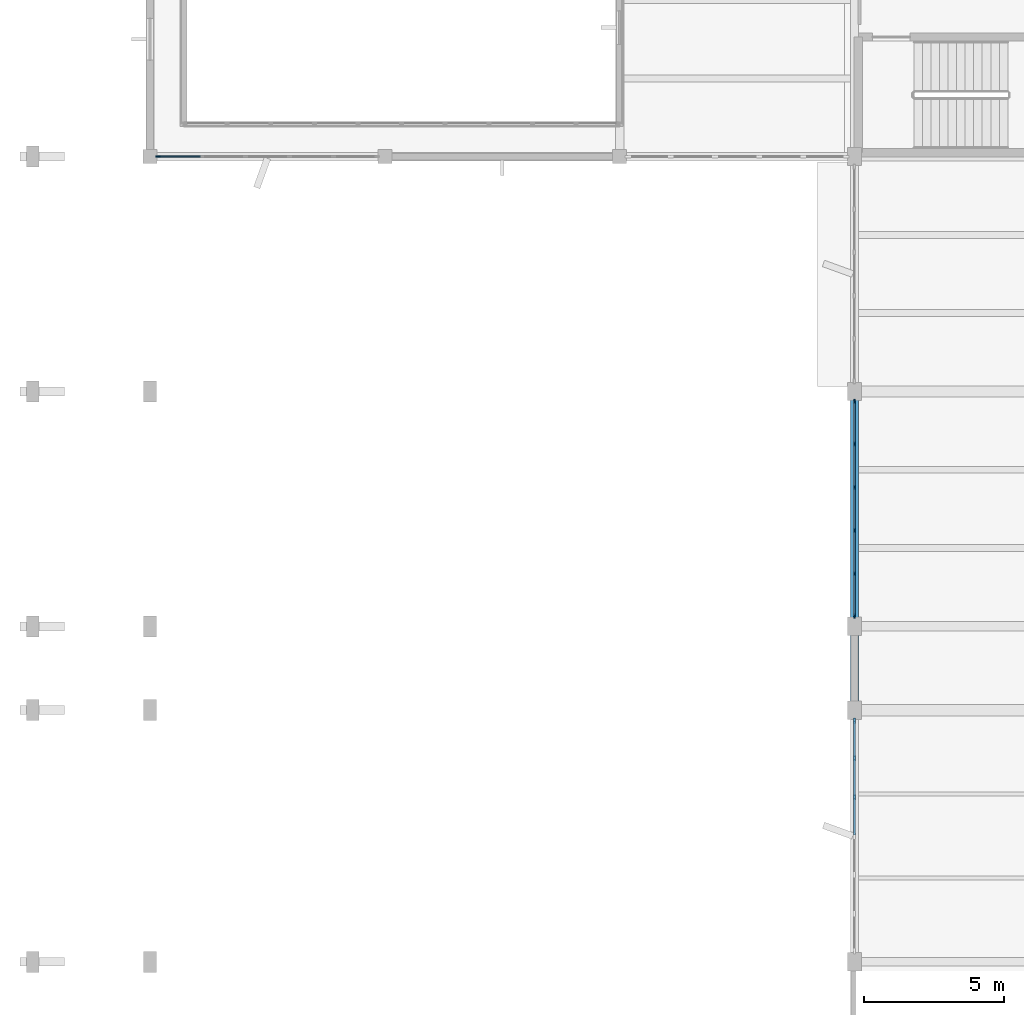
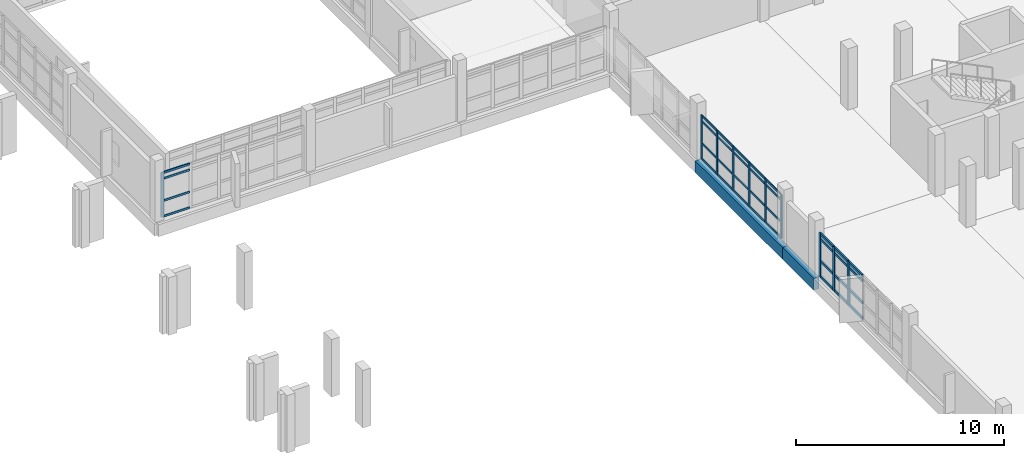
# One storey, part 27 of 104: 46 members, 2 beams, 3 elements without a shape of their own.
"""IFC4 building model written with IfcOpenShell, lengths in metres."""

from ifc_helpers import new_model, si_unit, direction, frame, origin, origin_2d, place, context, subcontext, project, spatial, rectangle, extrude, material, material_profile, profile_set, type_object, element, aggregate, save


model = new_model("IFC4")

# Units and contexts
model_context = context("Model", 3, precision=1e-05, world=origin(), true_north=direction((0.0, 1.0)))
body_context = subcontext(model_context, "Body", "Model", "MODEL_VIEW")
ifc_project = project(units=[si_unit("LENGTHUNIT", "METRE"), si_unit("AREAUNIT", "SQUARE_METRE"), si_unit("VOLUMEUNIT", "CUBIC_METRE"), si_unit("PLANEANGLEUNIT", "RADIAN"), si_unit("MASSUNIT", "GRAM", prefix="KILO")], contexts=[model_context])

# Site, building, storey
site_placement = place(None, origin())
site = spatial("IfcSite", under=ifc_project, at=site_placement, CompositionType="ELEMENT")
building_placement = place(site_placement, origin())
building = spatial("IfcBuilding", under=site, at=building_placement, Name="Vanh Quang Courtyard School", CompositionType="ELEMENT")
storey_placement = place(building_placement, frame((0.0, 0.0, 4.199951171875)))
storey = spatial("IfcBuildingStorey", under=building, at=storey_placement, Name="L01", CompositionType="ELEMENT", Elevation=4.199951171875)

# Beams
ifc_material_1 = material(Name="Concrete C35/45", Category="concrete")
ifc_material_profile_1 = material_profile(ifc_material_1, rectangle(XDim=0.300048828125, YDim=0.699951171875, at=origin_2d()), Name="RC-SP 300x700")
ifc_profile_set_1 = profile_set([ifc_material_profile_1], Name="Concrete C35/45")
beam_type = type_object("IfcBeamType", Name="BM-SP-300x700", PredefinedType="SPANDREL", material=ifc_profile_set_1)
beam_1_placement = place(storey_placement, frame((29.39990234375, 68.39990234375, -0.6298828125), z_axis=(0.0, 1.0, 0.0), x_axis=(-1.0, 0.0, 0.0)))
element("IfcBeam", 1, at=beam_1_placement, inside=storey, type_object=beam_type, Name="Beam BS-01 (L01)", PredefinedType="SPANDREL", context=body_context, shape_type="SweptSolid", body=[
    extrude(rectangle(XDim=0.300048828125, YDim=0.699951171875, at=origin_2d()), origin(), (0.0, 0.0, 1.0), 3.0),
])
beam_2_placement = place(storey_placement, frame((29.39990234375, 71.39990234375, -0.6298828125), z_axis=(0.0, 1.0, 0.0), x_axis=(-1.0, 0.0, 0.0)))
element("IfcBeam", 2, at=beam_2_placement, inside=storey, type_object=beam_type, Name="Beam BS-01 (L01)", PredefinedType="SPANDREL", context=body_context, shape_type="SweptSolid", body=[
    extrude(rectangle(XDim=0.300048828125, YDim=0.699951171875, at=origin_2d()), origin(), (0.0, 0.0, 1.0), 8.400146484375),
])

# Curtain wall, members
ifc_material_2 = material(Name="Thermally broken aluminium unitised curtain wall", Category="aluminium")
curtain_wall_type_1 = type_object("IfcCurtainWallType", Name="CW-SYS-21", PredefinedType="NOTDEFINED", material=ifc_material_2)
curtain_wall_1_placement = place(storey_placement, origin())
curtain_wall_1 = element("IfcCurtainWall", 3, at=curtain_wall_1_placement, inside=storey, type_object=curtain_wall_type_1, Name="Curtain Wall CW-21 (L01)", PredefinedType="NOTDEFINED")
ifc_material_3 = material(Name="Anodised aluminium 6063-T6", Category="aluminium")
ifc_material_profile_2 = material_profile(ifc_material_3, rectangle(XDim=0.06005859375, YDim=0.159912109375, at=origin_2d()), Name="ALU-MUL 60x160")
ifc_profile_set_2 = profile_set([ifc_material_profile_2], Name="Anodised aluminium 6063-T6")
member_type_1 = type_object("IfcMemberType", Name="CW-MUL-60x160", PredefinedType="MULLION", material=ifc_profile_set_2)
member_1_placement = place(storey_placement, frame((29.39990234375, 71.762939453125, 0.0), z_axis=(0.0, 0.0, 1.0), x_axis=(-1.0, 0.0, 0.0)))
member_1 = element("IfcMember", 4, at=member_1_placement, type_object=member_type_1, Name="CW-21 mullion 1", PredefinedType="MULLION", context=body_context, shape_type="SweptSolid", body=[
    extrude(rectangle(XDim=0.06005859375, YDim=0.159912109375, at=origin_2d()), origin(), (0.0, 0.0, 1.0), 2.580078125),
])
member_2_placement = place(storey_placement, frame((29.39990234375, 73.27978515625, 0.0), z_axis=(0.0, 0.0, 1.0), x_axis=(-1.0, 0.0, 0.0)))
member_2 = element("IfcMember", 5, at=member_2_placement, type_object=member_type_1, Name="CW-21 mullion 2", PredefinedType="MULLION", context=body_context, shape_type="SweptSolid", body=[
    extrude(rectangle(XDim=0.06005859375, YDim=0.159912109375, at=origin_2d()), origin(), (0.0, 0.0, 1.0), 2.580078125),
])
member_3_placement = place(storey_placement, frame((29.39990234375, 74.82666015625, 0.0), z_axis=(0.0, 0.0, 1.0), x_axis=(-1.0, 0.0, 0.0)))
member_3 = element("IfcMember", 6, at=member_3_placement, type_object=member_type_1, Name="CW-21 mullion 3", PredefinedType="MULLION", context=body_context, shape_type="SweptSolid", body=[
    extrude(rectangle(XDim=0.06005859375, YDim=0.159912109375, at=origin_2d()), origin(), (0.0, 0.0, 1.0), 2.580078125),
])
member_4_placement = place(storey_placement, frame((29.39990234375, 76.373291015625, 0.0), z_axis=(0.0, 0.0, 1.0), x_axis=(-1.0, 0.0, 0.0)))
member_4 = element("IfcMember", 7, at=member_4_placement, type_object=member_type_1, Name="CW-21 mullion 4", PredefinedType="MULLION", context=body_context, shape_type="SweptSolid", body=[
    extrude(rectangle(XDim=0.06005859375, YDim=0.159912109375, at=origin_2d()), origin(), (0.0, 0.0, 1.0), 2.580078125),
])
member_5_placement = place(storey_placement, frame((29.39990234375, 77.920166015625, 0.0), z_axis=(0.0, 0.0, 1.0), x_axis=(-1.0, 0.0, 0.0)))
member_5 = element("IfcMember", 8, at=member_5_placement, type_object=member_type_1, Name="CW-21 mullion 5", PredefinedType="MULLION", context=body_context, shape_type="SweptSolid", body=[
    extrude(rectangle(XDim=0.06005859375, YDim=0.159912109375, at=origin_2d()), origin(), (0.0, 0.0, 1.0), 2.580078125),
])
member_6_placement = place(storey_placement, frame((29.39990234375, 79.43701171875, 0.0), z_axis=(0.0, 0.0, 1.0), x_axis=(-1.0, 0.0, 0.0)))
member_6 = element("IfcMember", 9, at=member_6_placement, type_object=member_type_1, Name="CW-21 mullion 6", PredefinedType="MULLION", context=body_context, shape_type="SweptSolid", body=[
    extrude(rectangle(XDim=0.06005859375, YDim=0.159912109375, at=origin_2d()), origin(), (0.0, 0.0, 1.0), 2.580078125),
])

# Curtain wall, member
curtain_wall_type_2 = type_object("IfcCurtainWallType", Name="CW-SYS-19", PredefinedType="NOTDEFINED", material=ifc_material_2)
curtain_wall_2_placement = place(storey_placement, origin())
curtain_wall_2 = element("IfcCurtainWall", 10, at=curtain_wall_2_placement, inside=storey, type_object=curtain_wall_type_2, Name="Curtain Wall CW-19 (L01)", PredefinedType="NOTDEFINED")
member_7_placement = place(storey_placement, frame((4.488037109375, 88.199951171875, 0.0), z_axis=(0.0, 0.0, 1.0), x_axis=(0.0, -1.0, 0.0)))
member_7 = element("IfcMember", 11, at=member_7_placement, type_object=member_type_1, Name="CW-19 mullion 6", PredefinedType="MULLION", context=body_context, shape_type="SweptSolid", body=[
    extrude(rectangle(XDim=0.06005859375, YDim=0.159912109375, at=origin_2d()), origin(), (0.0, 0.0, 1.0), 2.6201171875),
])

# Curtain wall, members
curtain_wall_type_3 = type_object("IfcCurtainWallType", Name="CW-SYS-20", PredefinedType="NOTDEFINED", material=ifc_material_2)
curtain_wall_3_placement = place(storey_placement, origin())
curtain_wall_3 = element("IfcCurtainWall", 12, at=curtain_wall_3_placement, inside=storey, type_object=curtain_wall_type_3, Name="Curtain Wall CW-20 (L01)", PredefinedType="NOTDEFINED")
ifc_material_profile_3 = material_profile(ifc_material_3, rectangle(XDim=0.080078125, YDim=0.199951171875, at=origin_2d()), Name="ALU-MUL 80x200")
ifc_profile_set_3 = profile_set([ifc_material_profile_3], Name="Anodised aluminium 6063-T6")
member_type_2 = type_object("IfcMemberType", Name="CW-MUL-80x200", PredefinedType="MULLION", material=ifc_profile_set_3)
member_8_placement = place(storey_placement, frame((29.39990234375, 65.2890625, 0.0), z_axis=(0.0, 0.0, 1.0), x_axis=(-1.0, 0.0, 0.0)))
member_8 = element("IfcMember", 13, at=member_8_placement, type_object=member_type_2, Name="CW-20 mullion 5", PredefinedType="MULLION", context=body_context, shape_type="SweptSolid", body=[
    extrude(rectangle(XDim=0.080078125, YDim=0.199951171875, at=origin_2d()), origin(), (0.0, 0.0, 1.0), 2.580078125),
])
member_9_placement = place(storey_placement, frame((29.39990234375, 66.677978515625, 0.0), z_axis=(0.0, 0.0, 1.0), x_axis=(-1.0, 0.0, 0.0)))
member_9 = element("IfcMember", 14, at=member_9_placement, type_object=member_type_2, Name="CW-20 mullion 6", PredefinedType="MULLION", context=body_context, shape_type="SweptSolid", body=[
    extrude(rectangle(XDim=0.080078125, YDim=0.199951171875, at=origin_2d()), origin(), (0.0, 0.0, 1.0), 2.580078125),
])
member_10_placement = place(storey_placement, frame((29.39990234375, 68.027099609375, 0.0), z_axis=(0.0, 0.0, 1.0), x_axis=(-1.0, 0.0, 0.0)))
member_10 = element("IfcMember", 15, at=member_10_placement, type_object=member_type_2, Name="CW-20 mullion 7", PredefinedType="MULLION", context=body_context, shape_type="SweptSolid", body=[
    extrude(rectangle(XDim=0.080078125, YDim=0.199951171875, at=origin_2d()), origin(), (0.0, 0.0, 1.0), 2.580078125),
])

# Member
ifc_material_profile_4 = material_profile(ifc_material_3, rectangle(XDim=0.06005859375, YDim=0.1201171875, at=origin_2d()), Name="ALU-TRN 60x120")
ifc_profile_set_4 = profile_set([ifc_material_profile_4], Name="Anodised aluminium 6063-T6")
member_type_3 = type_object("IfcMemberType", Name="CW-TRN-60x120", PredefinedType="USERDEFINED", material=ifc_profile_set_4)
member_11_placement = place(storey_placement, frame((29.39990234375, 71.79296875, 0.030029296875), z_axis=(0.0, 1.0, 0.0), x_axis=(-1.0, 0.0, 0.0)))
member_11 = element("IfcMember", 16, at=member_11_placement, type_object=member_type_3, Name="CW-21 transom 1.1", ObjectType="TRANSOM", PredefinedType="USERDEFINED", context=body_context, shape_type="SweptSolid", body=[
    extrude(rectangle(XDim=0.06005859375, YDim=0.1201171875, at=origin_2d()), origin(), (0.0, 0.0, 1.0), 1.456787109375),
])

member_12_placement = place(storey_placement, frame((29.39990234375, 71.79296875, 0.949951171875), z_axis=(0.0, 1.0, 0.0), x_axis=(-1.0, 0.0, 0.0)))
member_12 = element("IfcMember", 17, at=member_12_placement, type_object=member_type_3, Name="CW-21 transom 1.2", ObjectType="TRANSOM", PredefinedType="USERDEFINED", context=body_context, shape_type="SweptSolid", body=[
    extrude(rectangle(XDim=0.06005859375, YDim=0.1201171875, at=origin_2d()), origin(), (0.0, 0.0, 1.0), 1.456787109375),
])

member_13_placement = place(storey_placement, frame((29.39990234375, 71.79296875, 2.25), z_axis=(0.0, 1.0, 0.0), x_axis=(-1.0, 0.0, 0.0)))
member_13 = element("IfcMember", 18, at=member_13_placement, type_object=member_type_3, Name="CW-21 transom 1.3", ObjectType="TRANSOM", PredefinedType="USERDEFINED", context=body_context, shape_type="SweptSolid", body=[
    extrude(rectangle(XDim=0.06005859375, YDim=0.1201171875, at=origin_2d()), origin(), (0.0, 0.0, 1.0), 1.456787109375),
])

member_14_placement = place(storey_placement, frame((29.39990234375, 71.79296875, 2.550048828125), z_axis=(0.0, 1.0, 0.0), x_axis=(-1.0, 0.0, 0.0)))
member_14 = element("IfcMember", 19, at=member_14_placement, type_object=member_type_3, Name="CW-21 transom 1.4", ObjectType="TRANSOM", PredefinedType="USERDEFINED", context=body_context, shape_type="SweptSolid", body=[
    extrude(rectangle(XDim=0.06005859375, YDim=0.1201171875, at=origin_2d()), origin(), (0.0, 0.0, 1.0), 1.456787109375),
])

member_15_placement = place(storey_placement, frame((29.39990234375, 73.309814453125, 0.030029296875), z_axis=(0.0, 1.0, 0.0), x_axis=(-1.0, 0.0, 0.0)))
member_15 = element("IfcMember", 20, at=member_15_placement, type_object=member_type_3, Name="CW-21 transom 2.1", ObjectType="TRANSOM", PredefinedType="USERDEFINED", context=body_context, shape_type="SweptSolid", body=[
    extrude(rectangle(XDim=0.06005859375, YDim=0.1201171875, at=origin_2d()), origin(), (0.0, 0.0, 1.0), 1.48681640625),
])

member_16_placement = place(storey_placement, frame((29.39990234375, 73.309814453125, 0.949951171875), z_axis=(0.0, 1.0, 0.0), x_axis=(-1.0, 0.0, 0.0)))
member_16 = element("IfcMember", 21, at=member_16_placement, type_object=member_type_3, Name="CW-21 transom 2.2", ObjectType="TRANSOM", PredefinedType="USERDEFINED", context=body_context, shape_type="SweptSolid", body=[
    extrude(rectangle(XDim=0.06005859375, YDim=0.1201171875, at=origin_2d()), origin(), (0.0, 0.0, 1.0), 1.48681640625),
])

member_17_placement = place(storey_placement, frame((29.39990234375, 73.309814453125, 2.25), z_axis=(0.0, 1.0, 0.0), x_axis=(-1.0, 0.0, 0.0)))
member_17 = element("IfcMember", 22, at=member_17_placement, type_object=member_type_3, Name="CW-21 transom 2.3", ObjectType="TRANSOM", PredefinedType="USERDEFINED", context=body_context, shape_type="SweptSolid", body=[
    extrude(rectangle(XDim=0.06005859375, YDim=0.1201171875, at=origin_2d()), origin(), (0.0, 0.0, 1.0), 1.48681640625),
])

member_18_placement = place(storey_placement, frame((29.39990234375, 73.309814453125, 2.550048828125), z_axis=(0.0, 1.0, 0.0), x_axis=(-1.0, 0.0, 0.0)))
member_18 = element("IfcMember", 23, at=member_18_placement, type_object=member_type_3, Name="CW-21 transom 2.4", ObjectType="TRANSOM", PredefinedType="USERDEFINED", context=body_context, shape_type="SweptSolid", body=[
    extrude(rectangle(XDim=0.06005859375, YDim=0.1201171875, at=origin_2d()), origin(), (0.0, 0.0, 1.0), 1.48681640625),
])

member_19_placement = place(storey_placement, frame((29.39990234375, 74.856689453125, 0.030029296875), z_axis=(0.0, 1.0, 0.0), x_axis=(-1.0, 0.0, 0.0)))
member_19 = element("IfcMember", 24, at=member_19_placement, type_object=member_type_3, Name="CW-21 transom 3.1", ObjectType="TRANSOM", PredefinedType="USERDEFINED", context=body_context, shape_type="SweptSolid", body=[
    extrude(rectangle(XDim=0.06005859375, YDim=0.1201171875, at=origin_2d()), origin(), (0.0, 0.0, 1.0), 1.48681640625),
])

member_20_placement = place(storey_placement, frame((29.39990234375, 74.856689453125, 0.949951171875), z_axis=(0.0, 1.0, 0.0), x_axis=(-1.0, 0.0, 0.0)))
member_20 = element("IfcMember", 25, at=member_20_placement, type_object=member_type_3, Name="CW-21 transom 3.2", ObjectType="TRANSOM", PredefinedType="USERDEFINED", context=body_context, shape_type="SweptSolid", body=[
    extrude(rectangle(XDim=0.06005859375, YDim=0.1201171875, at=origin_2d()), origin(), (0.0, 0.0, 1.0), 1.48681640625),
])

member_21_placement = place(storey_placement, frame((29.39990234375, 74.856689453125, 2.25), z_axis=(0.0, 1.0, 0.0), x_axis=(-1.0, 0.0, 0.0)))
member_21 = element("IfcMember", 26, at=member_21_placement, type_object=member_type_3, Name="CW-21 transom 3.3", ObjectType="TRANSOM", PredefinedType="USERDEFINED", context=body_context, shape_type="SweptSolid", body=[
    extrude(rectangle(XDim=0.06005859375, YDim=0.1201171875, at=origin_2d()), origin(), (0.0, 0.0, 1.0), 1.48681640625),
])

member_22_placement = place(storey_placement, frame((29.39990234375, 74.856689453125, 2.550048828125), z_axis=(0.0, 1.0, 0.0), x_axis=(-1.0, 0.0, 0.0)))
member_22 = element("IfcMember", 27, at=member_22_placement, type_object=member_type_3, Name="CW-21 transom 3.4", ObjectType="TRANSOM", PredefinedType="USERDEFINED", context=body_context, shape_type="SweptSolid", body=[
    extrude(rectangle(XDim=0.06005859375, YDim=0.1201171875, at=origin_2d()), origin(), (0.0, 0.0, 1.0), 1.48681640625),
])

member_23_placement = place(storey_placement, frame((29.39990234375, 76.4033203125, 0.030029296875), z_axis=(0.0, 1.0, 0.0), x_axis=(-1.0, 0.0, 0.0)))
member_23 = element("IfcMember", 28, at=member_23_placement, type_object=member_type_3, Name="CW-21 transom 4.1", ObjectType="TRANSOM", PredefinedType="USERDEFINED", context=body_context, shape_type="SweptSolid", body=[
    extrude(rectangle(XDim=0.06005859375, YDim=0.1201171875, at=origin_2d()), origin(), (0.0, 0.0, 1.0), 1.48681640625),
])

member_24_placement = place(storey_placement, frame((29.39990234375, 76.4033203125, 0.949951171875), z_axis=(0.0, 1.0, 0.0), x_axis=(-1.0, 0.0, 0.0)))
member_24 = element("IfcMember", 29, at=member_24_placement, type_object=member_type_3, Name="CW-21 transom 4.2", ObjectType="TRANSOM", PredefinedType="USERDEFINED", context=body_context, shape_type="SweptSolid", body=[
    extrude(rectangle(XDim=0.06005859375, YDim=0.1201171875, at=origin_2d()), origin(), (0.0, 0.0, 1.0), 1.48681640625),
])

member_25_placement = place(storey_placement, frame((29.39990234375, 76.4033203125, 2.25), z_axis=(0.0, 1.0, 0.0), x_axis=(-1.0, 0.0, 0.0)))
member_25 = element("IfcMember", 30, at=member_25_placement, type_object=member_type_3, Name="CW-21 transom 4.3", ObjectType="TRANSOM", PredefinedType="USERDEFINED", context=body_context, shape_type="SweptSolid", body=[
    extrude(rectangle(XDim=0.06005859375, YDim=0.1201171875, at=origin_2d()), origin(), (0.0, 0.0, 1.0), 1.48681640625),
])

member_26_placement = place(storey_placement, frame((29.39990234375, 76.4033203125, 2.550048828125), z_axis=(0.0, 1.0, 0.0), x_axis=(-1.0, 0.0, 0.0)))
member_26 = element("IfcMember", 31, at=member_26_placement, type_object=member_type_3, Name="CW-21 transom 4.4", ObjectType="TRANSOM", PredefinedType="USERDEFINED", context=body_context, shape_type="SweptSolid", body=[
    extrude(rectangle(XDim=0.06005859375, YDim=0.1201171875, at=origin_2d()), origin(), (0.0, 0.0, 1.0), 1.48681640625),
])

member_27_placement = place(storey_placement, frame((29.39990234375, 77.9501953125, 0.030029296875), z_axis=(0.0, 1.0, 0.0), x_axis=(-1.0, 0.0, 0.0)))
member_27 = element("IfcMember", 32, at=member_27_placement, type_object=member_type_3, Name="CW-21 transom 5.1", ObjectType="TRANSOM", PredefinedType="USERDEFINED", context=body_context, shape_type="SweptSolid", body=[
    extrude(rectangle(XDim=0.06005859375, YDim=0.1201171875, at=origin_2d()), origin(), (0.0, 0.0, 1.0), 1.456787109375),
])

member_28_placement = place(storey_placement, frame((29.39990234375, 77.9501953125, 0.949951171875), z_axis=(0.0, 1.0, 0.0), x_axis=(-1.0, 0.0, 0.0)))
member_28 = element("IfcMember", 33, at=member_28_placement, type_object=member_type_3, Name="CW-21 transom 5.2", ObjectType="TRANSOM", PredefinedType="USERDEFINED", context=body_context, shape_type="SweptSolid", body=[
    extrude(rectangle(XDim=0.06005859375, YDim=0.1201171875, at=origin_2d()), origin(), (0.0, 0.0, 1.0), 1.456787109375),
])

member_29_placement = place(storey_placement, frame((29.39990234375, 77.9501953125, 2.25), z_axis=(0.0, 1.0, 0.0), x_axis=(-1.0, 0.0, 0.0)))
member_29 = element("IfcMember", 34, at=member_29_placement, type_object=member_type_3, Name="CW-21 transom 5.3", ObjectType="TRANSOM", PredefinedType="USERDEFINED", context=body_context, shape_type="SweptSolid", body=[
    extrude(rectangle(XDim=0.06005859375, YDim=0.1201171875, at=origin_2d()), origin(), (0.0, 0.0, 1.0), 1.456787109375),
])

member_30_placement = place(storey_placement, frame((29.39990234375, 77.9501953125, 2.550048828125), z_axis=(0.0, 1.0, 0.0), x_axis=(-1.0, 0.0, 0.0)))
member_30 = element("IfcMember", 35, at=member_30_placement, type_object=member_type_3, Name="CW-21 transom 5.4", ObjectType="TRANSOM", PredefinedType="USERDEFINED", context=body_context, shape_type="SweptSolid", body=[
    extrude(rectangle(XDim=0.06005859375, YDim=0.1201171875, at=origin_2d()), origin(), (0.0, 0.0, 1.0), 1.456787109375),
])

aggregate(curtain_wall_1, [member_1, member_2, member_3, member_4, member_5, member_6, member_11, member_12, member_13, member_14, member_15, member_16, member_17, member_18, member_19, member_20, member_21, member_22, member_23, member_24, member_25, member_26, member_27, member_28, member_29, member_30])

member_31_placement = place(storey_placement, frame((6.0048828125, 88.199951171875, 0.030029296875), z_axis=(-1.0, 0.0, 0.0), x_axis=(0.0, -1.0, 0.0)))
member_31 = element("IfcMember", 36, at=member_31_placement, type_object=member_type_3, Name="CW-19 transom 5.1", ObjectType="TRANSOM", PredefinedType="USERDEFINED", context=body_context, shape_type="SweptSolid", body=[
    extrude(rectangle(XDim=0.06005859375, YDim=0.1201171875, at=origin_2d()), origin(), (0.0, 0.0, 1.0), 1.48681640625),
])

member_32_placement = place(storey_placement, frame((6.0048828125, 88.199951171875, 0.949951171875), z_axis=(-1.0, 0.0, 0.0), x_axis=(0.0, -1.0, 0.0)))
member_32 = element("IfcMember", 37, at=member_32_placement, type_object=member_type_3, Name="CW-19 transom 5.2", ObjectType="TRANSOM", PredefinedType="USERDEFINED", context=body_context, shape_type="SweptSolid", body=[
    extrude(rectangle(XDim=0.06005859375, YDim=0.1201171875, at=origin_2d()), origin(), (0.0, 0.0, 1.0), 1.48681640625),
])

member_33_placement = place(storey_placement, frame((6.0048828125, 88.199951171875, 2.25), z_axis=(-1.0, 0.0, 0.0), x_axis=(0.0, -1.0, 0.0)))
member_33 = element("IfcMember", 38, at=member_33_placement, type_object=member_type_3, Name="CW-19 transom 5.3", ObjectType="TRANSOM", PredefinedType="USERDEFINED", context=body_context, shape_type="SweptSolid", body=[
    extrude(rectangle(XDim=0.06005859375, YDim=0.1201171875, at=origin_2d()), origin(), (0.0, 0.0, 1.0), 1.48681640625),
])

member_34_placement = place(storey_placement, frame((6.0048828125, 88.199951171875, 2.590087890625), z_axis=(-1.0, 0.0, 0.0), x_axis=(0.0, -1.0, 0.0)))
member_34 = element("IfcMember", 39, at=member_34_placement, type_object=member_type_3, Name="CW-19 transom 5.4", ObjectType="TRANSOM", PredefinedType="USERDEFINED", context=body_context, shape_type="SweptSolid", body=[
    extrude(rectangle(XDim=0.06005859375, YDim=0.1201171875, at=origin_2d()), origin(), (0.0, 0.0, 1.0), 1.48681640625),
])

aggregate(curtain_wall_2, [member_7, member_31, member_32, member_33, member_34])

ifc_material_profile_5 = material_profile(ifc_material_3, rectangle(XDim=0.080078125, YDim=0.14990234375, at=origin_2d()), Name="ALU-TRN 80x150")
ifc_profile_set_5 = profile_set([ifc_material_profile_5], Name="Anodised aluminium 6063-T6")
member_type_4 = type_object("IfcMemberType", Name="CW-TRN-80x150", PredefinedType="USERDEFINED", material=ifc_profile_set_5)
member_35_placement = place(storey_placement, frame((29.39990234375, 63.93994140625, 0.0400390625), z_axis=(0.0, 1.0, 0.0), x_axis=(-1.0, 0.0, 0.0)))
member_35 = element("IfcMember", 40, at=member_35_placement, type_object=member_type_4, Name="CW-20 transom 4.1", ObjectType="TRANSOM", PredefinedType="USERDEFINED", context=body_context, shape_type="SweptSolid", body=[
    extrude(rectangle(XDim=0.080078125, YDim=0.14990234375, at=origin_2d()), origin(), (0.0, 0.0, 1.0), 1.30908203125),
])

member_36_placement = place(storey_placement, frame((29.39990234375, 63.93994140625, 0.949951171875), z_axis=(0.0, 1.0, 0.0), x_axis=(-1.0, 0.0, 0.0)))
member_36 = element("IfcMember", 41, at=member_36_placement, type_object=member_type_4, Name="CW-20 transom 4.2", ObjectType="TRANSOM", PredefinedType="USERDEFINED", context=body_context, shape_type="SweptSolid", body=[
    extrude(rectangle(XDim=0.080078125, YDim=0.14990234375, at=origin_2d()), origin(), (0.0, 0.0, 1.0), 1.30908203125),
])

member_37_placement = place(storey_placement, frame((29.39990234375, 63.93994140625, 2.25), z_axis=(0.0, 1.0, 0.0), x_axis=(-1.0, 0.0, 0.0)))
member_37 = element("IfcMember", 42, at=member_37_placement, type_object=member_type_4, Name="CW-20 transom 4.3", ObjectType="TRANSOM", PredefinedType="USERDEFINED", context=body_context, shape_type="SweptSolid", body=[
    extrude(rectangle(XDim=0.080078125, YDim=0.14990234375, at=origin_2d()), origin(), (0.0, 0.0, 1.0), 1.30908203125),
])

member_38_placement = place(storey_placement, frame((29.39990234375, 63.93994140625, 2.5400390625), z_axis=(0.0, 1.0, 0.0), x_axis=(-1.0, 0.0, 0.0)))
member_38 = element("IfcMember", 43, at=member_38_placement, type_object=member_type_4, Name="CW-20 transom 4.4", ObjectType="TRANSOM", PredefinedType="USERDEFINED", context=body_context, shape_type="SweptSolid", body=[
    extrude(rectangle(XDim=0.080078125, YDim=0.14990234375, at=origin_2d()), origin(), (0.0, 0.0, 1.0), 1.30908203125),
])

member_39_placement = place(storey_placement, frame((29.39990234375, 65.3291015625, 0.0400390625), z_axis=(0.0, 1.0, 0.0), x_axis=(-1.0, 0.0, 0.0)))
member_39 = element("IfcMember", 44, at=member_39_placement, type_object=member_type_4, Name="CW-20 transom 5.1", ObjectType="TRANSOM", PredefinedType="USERDEFINED", context=body_context, shape_type="SweptSolid", body=[
    extrude(rectangle(XDim=0.080078125, YDim=0.14990234375, at=origin_2d()), origin(), (0.0, 0.0, 1.0), 1.308837890625),
])

member_40_placement = place(storey_placement, frame((29.39990234375, 65.3291015625, 0.949951171875), z_axis=(0.0, 1.0, 0.0), x_axis=(-1.0, 0.0, 0.0)))
member_40 = element("IfcMember", 45, at=member_40_placement, type_object=member_type_4, Name="CW-20 transom 5.2", ObjectType="TRANSOM", PredefinedType="USERDEFINED", context=body_context, shape_type="SweptSolid", body=[
    extrude(rectangle(XDim=0.080078125, YDim=0.14990234375, at=origin_2d()), origin(), (0.0, 0.0, 1.0), 1.308837890625),
])

member_41_placement = place(storey_placement, frame((29.39990234375, 65.3291015625, 2.25), z_axis=(0.0, 1.0, 0.0), x_axis=(-1.0, 0.0, 0.0)))
member_41 = element("IfcMember", 46, at=member_41_placement, type_object=member_type_4, Name="CW-20 transom 5.3", ObjectType="TRANSOM", PredefinedType="USERDEFINED", context=body_context, shape_type="SweptSolid", body=[
    extrude(rectangle(XDim=0.080078125, YDim=0.14990234375, at=origin_2d()), origin(), (0.0, 0.0, 1.0), 1.308837890625),
])

member_42_placement = place(storey_placement, frame((29.39990234375, 65.3291015625, 2.5400390625), z_axis=(0.0, 1.0, 0.0), x_axis=(-1.0, 0.0, 0.0)))
member_42 = element("IfcMember", 47, at=member_42_placement, type_object=member_type_4, Name="CW-20 transom 5.4", ObjectType="TRANSOM", PredefinedType="USERDEFINED", context=body_context, shape_type="SweptSolid", body=[
    extrude(rectangle(XDim=0.080078125, YDim=0.14990234375, at=origin_2d()), origin(), (0.0, 0.0, 1.0), 1.308837890625),
])

member_43_placement = place(storey_placement, frame((29.39990234375, 66.718017578125, 0.0400390625), z_axis=(0.0, 1.0, 0.0), x_axis=(-1.0, 0.0, 0.0)))
member_43 = element("IfcMember", 48, at=member_43_placement, type_object=member_type_4, Name="CW-20 transom 6.1", ObjectType="TRANSOM", PredefinedType="USERDEFINED", context=body_context, shape_type="SweptSolid", body=[
    extrude(rectangle(XDim=0.080078125, YDim=0.14990234375, at=origin_2d()), origin(), (0.0, 0.0, 1.0), 1.26904296875),
])

member_44_placement = place(storey_placement, frame((29.39990234375, 66.718017578125, 0.949951171875), z_axis=(0.0, 1.0, 0.0), x_axis=(-1.0, 0.0, 0.0)))
member_44 = element("IfcMember", 49, at=member_44_placement, type_object=member_type_4, Name="CW-20 transom 6.2", ObjectType="TRANSOM", PredefinedType="USERDEFINED", context=body_context, shape_type="SweptSolid", body=[
    extrude(rectangle(XDim=0.080078125, YDim=0.14990234375, at=origin_2d()), origin(), (0.0, 0.0, 1.0), 1.26904296875),
])

member_45_placement = place(storey_placement, frame((29.39990234375, 66.718017578125, 2.25), z_axis=(0.0, 1.0, 0.0), x_axis=(-1.0, 0.0, 0.0)))
member_45 = element("IfcMember", 50, at=member_45_placement, type_object=member_type_4, Name="CW-20 transom 6.3", ObjectType="TRANSOM", PredefinedType="USERDEFINED", context=body_context, shape_type="SweptSolid", body=[
    extrude(rectangle(XDim=0.080078125, YDim=0.14990234375, at=origin_2d()), origin(), (0.0, 0.0, 1.0), 1.26904296875),
])

member_46_placement = place(storey_placement, frame((29.39990234375, 66.718017578125, 2.5400390625), z_axis=(0.0, 1.0, 0.0), x_axis=(-1.0, 0.0, 0.0)))
member_46 = element("IfcMember", 51, at=member_46_placement, type_object=member_type_4, Name="CW-20 transom 6.4", ObjectType="TRANSOM", PredefinedType="USERDEFINED", context=body_context, shape_type="SweptSolid", body=[
    extrude(rectangle(XDim=0.080078125, YDim=0.14990234375, at=origin_2d()), origin(), (0.0, 0.0, 1.0), 1.26904296875),
])

aggregate(curtain_wall_3, [member_8, member_9, member_10, member_35, member_36, member_37, member_38, member_39, member_40, member_41, member_42, member_43, member_44, member_45, member_46])

save(model, "model.ifc")
